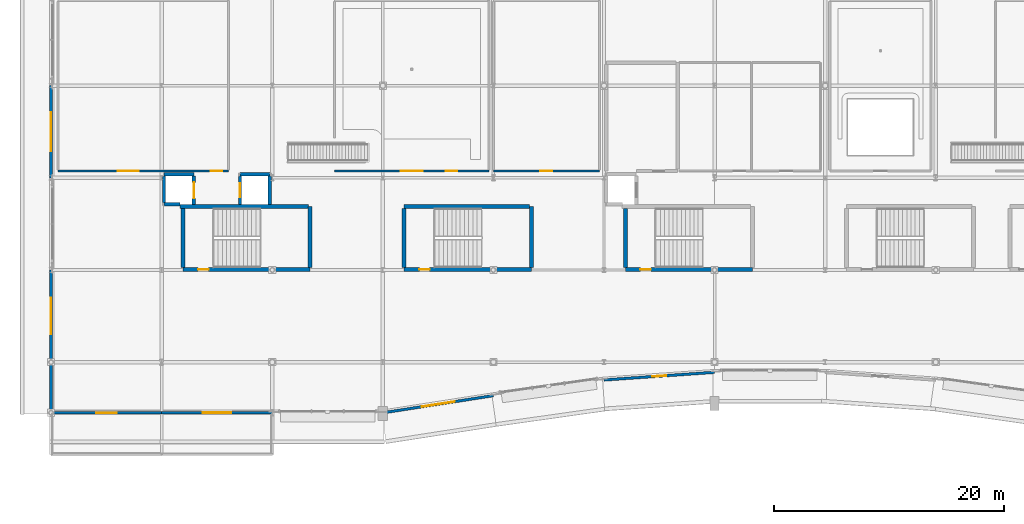
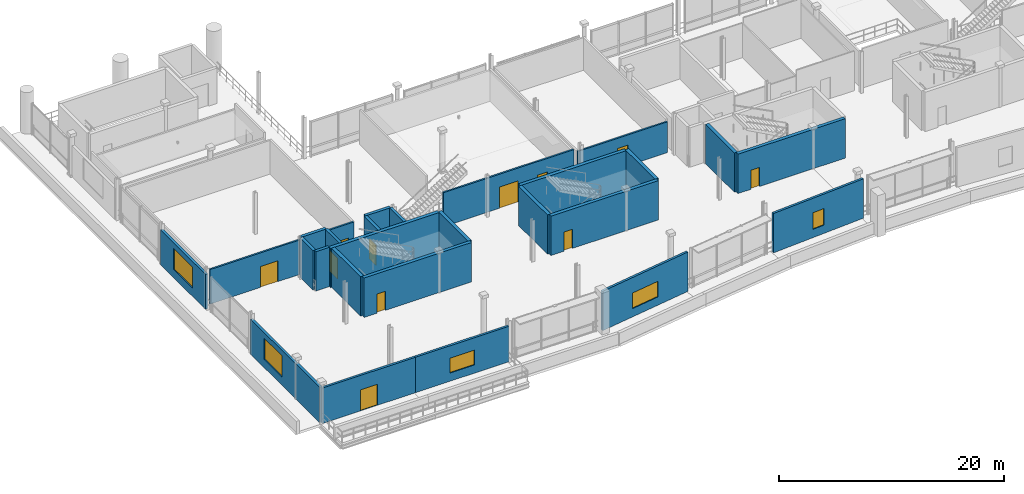
# One storey, part 36 of 59: 27 walls, 11 doors, 5 windows, 16 openings.
"""IFC4 building model written with IfcOpenShell, lengths in metres."""

from ifc_helpers import new_model, si_unit, direction, frame, frame_2d, origin, place, context, subcontext, project, spatial, rectangle, extrude, material, layer, layer_set, type_object, element, fill, save


model = new_model("IFC4")

# Units and contexts
model_context = context("Model", 3, precision=1e-05, world=origin(), true_north=direction((0.0, 1.0)))
body_context = subcontext(model_context, "Body", "Model", "MODEL_VIEW")
ifc_project = project(units=[si_unit("LENGTHUNIT", "METRE"), si_unit("AREAUNIT", "SQUARE_METRE"), si_unit("VOLUMEUNIT", "CUBIC_METRE"), si_unit("PLANEANGLEUNIT", "RADIAN"), si_unit("MASSUNIT", "GRAM", prefix="KILO")], contexts=[model_context])

# Site, building, storey
site_placement = place(None, origin())
site = spatial("IfcSite", under=ifc_project, at=site_placement, CompositionType="ELEMENT")
building_placement = place(site_placement, origin())
building = spatial("IfcBuilding", under=site, at=building_placement, Name="Danafjord Basin Convention Centre", CompositionType="ELEMENT")
storey_placement = place(building_placement, frame((0.0, 0.0, 15.89990234375)))
storey = spatial("IfcBuildingStorey", under=building, at=storey_placement, Name="L03", CompositionType="ELEMENT", Elevation=15.89990234375)

# Walls
ifc_material_1 = material(Name="Concrete C40/50", Category="concrete")
ifc_layer_1 = layer(ifc_material_1, 0.300048828125)
ifc_layer_set_1 = layer_set([ifc_layer_1], Name="Concrete C40/50")
wall_type_1 = type_object("IfcWallType", Name="WALL-CW-CORE300", PredefinedType="SHEAR", material=ifc_layer_set_1)
wall_1_placement = place(storey_placement, frame((12.39990234375, 24.300048828125, 0.0), z_axis=(0.0, 0.0, 1.0), x_axis=(-1.0, 0.0, 0.0)))
element("IfcWall", 1, at=wall_1_placement, inside=storey, type_object=wall_type_1, Name="Lift LF-FF01 shaft shear wall", PredefinedType="SHEAR", context=body_context, shape_type="SweptSolid", body=[
    extrude(rectangle(XDim=2.599853515625, YDim=0.300048828125, at=frame_2d((1.2998046875, 0.0))), origin(), (0.0, 0.0, 1.0), 4.276123046875),
])
wall_2_placement = place(storey_placement, frame((9.800048828125, 21.699951171875, 0.0), z_axis=(0.0, 0.0, 1.0), x_axis=(1.0, 0.0, 0.0)))
element("IfcWall", 2, at=wall_2_placement, inside=storey, type_object=wall_type_1, Name="Lift LF-FF01 shaft shear wall", PredefinedType="SHEAR", context=body_context, shape_type="SweptSolid", body=[
    extrude(rectangle(XDim=1.39990234375, YDim=0.300048828125, at=frame_2d((0.699951171875, 0.0))), origin(), (0.0, 0.0, 1.0), 4.276123046875),
])

# Wall, opening, door
wall_3_placement = place(storey_placement, frame((12.39990234375, 21.6650390625, 0.0), z_axis=(0.0, 0.0, 1.0), x_axis=(0.0, 1.0, 0.0)))
wall_3 = element("IfcWall", 3, at=wall_3_placement, inside=storey, type_object=wall_type_1, Name="Lift LF-FF01 shaft shear wall", PredefinedType="SHEAR", context=body_context, shape_type="SweptSolid", body=[
    extrude(rectangle(XDim=2.5, YDim=0.300048828125, at=frame_2d((1.25, 0.0))), origin(), (0.0, 0.0, 1.0), 4.276123046875),
])
opening_1_placement = place(wall_3_placement, frame((0.550048828125, 0.0, 0.0)))
opening_1 = element("IfcOpeningElement", 4, at=opening_1_placement, cuts=wall_3, Name="Opening LD-F01", PredefinedType="OPENING", context=body_context, shape_type="SweptSolid", body=[
    extrude(rectangle(XDim=1.39990234375, YDim=2.260009765625, at=frame_2d((0.699951171875, 1.1298828125))), frame((0.0, 0.159912109375, 0.0), z_axis=(0.0, -1.0, 0.0), x_axis=(1.0, 0.0, 0.0)), (0.0, 0.0, 1.0), 0.320068359375),
])
ifc_material_2 = material(Name="Brushed stainless steel and acoustic laminated glass", Category="steel")
door_type_1 = type_object("IfcDoorType", Name="DOOR-LD-F01", OperationType="DOUBLE_DOOR_SLIDING", PredefinedType="DOOR", material=ifc_material_2)
door_1_placement = place(opening_1_placement, origin())
door_1 = element("IfcDoor", 5, at=door_1_placement, inside=storey, type_object=door_type_1, Name="Lift LF-FF01 L03 Landing Door", OperationType="DOUBLE_DOOR_SLIDING", OverallHeight=2.260009765625, OverallWidth=1.39990234375, PredefinedType="DOOR", context=body_context, shape_type="SweptSolid", body=[
    extrude(rectangle(XDim=1.39990234375, YDim=2.260009765625, at=frame_2d((0.699951171875, 1.1298828125))), frame((0.0, 0.02490234375, 0.0), z_axis=(0.0, -1.0, 0.0), x_axis=(1.0, 0.0, 0.0)), (0.0, 0.0, 1.0), 0.050048828125),
])
fill(opening_1, door_1)

# Walls
wall_4_placement = place(storey_placement, frame((9.800048828125, 24.1650390625, 0.0), z_axis=(0.0, 0.0, 1.0), x_axis=(0.0, -1.0, 0.0)))
element("IfcWall", 6, at=wall_4_placement, inside=storey, type_object=wall_type_1, Name="Lift LF-FF01 shaft shear wall", PredefinedType="SHEAR", context=body_context, shape_type="SweptSolid", body=[
    extrude(rectangle(XDim=2.330078125, YDim=0.300048828125, at=frame_2d((1.1650390625, 0.0))), origin(), (0.0, 0.0, 1.0), 4.276123046875),
])
wall_5_placement = place(storey_placement, frame((19.0, 24.300048828125, 0.0), z_axis=(0.0, 0.0, 1.0), x_axis=(-1.0, 0.0, 0.0)))
element("IfcWall", 7, at=wall_5_placement, inside=storey, type_object=wall_type_1, Name="Lift LF-P01 shaft shear wall", PredefinedType="SHEAR", context=body_context, shape_type="SweptSolid", body=[
    extrude(rectangle(XDim=2.60009765625, YDim=0.300048828125, at=frame_2d((1.300048828125, 0.0))), origin(), (0.0, 0.0, 1.0), 4.276123046875),
])
wall_6_placement = place(storey_placement, frame((19.0, 21.6650390625, 0.0), z_axis=(0.0, 0.0, 1.0), x_axis=(0.0, 1.0, 0.0)))
element("IfcWall", 8, at=wall_6_placement, inside=storey, type_object=wall_type_1, Name="Lift LF-P01 shaft shear wall", PredefinedType="SHEAR", context=body_context, shape_type="SweptSolid", body=[
    extrude(rectangle(XDim=2.5, YDim=0.300048828125, at=frame_2d((1.25, 0.0))), origin(), (0.0, 0.0, 1.0), 4.276123046875),
])

# Wall, opening, door
wall_7_placement = place(storey_placement, frame((16.39990234375, 24.1650390625, 0.0), z_axis=(0.0, 0.0, 1.0), x_axis=(0.0, -1.0, 0.0)))
wall_7 = element("IfcWall", 9, at=wall_7_placement, inside=storey, type_object=wall_type_1, Name="Lift LF-P01 shaft shear wall", PredefinedType="SHEAR", context=body_context, shape_type="SweptSolid", body=[
    extrude(rectangle(XDim=2.5, YDim=0.300048828125, at=frame_2d((1.25, 0.0))), origin(), (0.0, 0.0, 1.0), 4.276123046875),
])
opening_2_placement = place(wall_7_placement, frame((0.64990234375, 0.0, 0.0)))
opening_2 = element("IfcOpeningElement", 10, at=opening_2_placement, cuts=wall_7, Name="Opening LD-P01", PredefinedType="OPENING", context=body_context, shape_type="SweptSolid", body=[
    extrude(rectangle(XDim=1.199951171875, YDim=2.199951171875, at=frame_2d((0.60009765625, 1.10009765625))), frame((0.0, 0.159912109375, 0.0), z_axis=(0.0, -1.0, 0.0), x_axis=(1.0, 0.0, 0.0)), (0.0, 0.0, 1.0), 0.320068359375),
])
door_type_2 = type_object("IfcDoorType", Name="DOOR-LD-P01", OperationType="DOUBLE_DOOR_SLIDING", PredefinedType="DOOR", material=ifc_material_2)
door_2_placement = place(opening_2_placement, origin())
door_2 = element("IfcDoor", 11, at=door_2_placement, inside=storey, type_object=door_type_2, Name="Lift LF-P01 L03 Landing Door", OperationType="DOUBLE_DOOR_SLIDING", OverallHeight=2.199951171875, OverallWidth=1.199951171875, PredefinedType="DOOR", context=body_context, shape_type="SweptSolid", body=[
    extrude(rectangle(XDim=1.199951171875, YDim=2.199951171875, at=frame_2d((0.60009765625, 1.10009765625))), frame((0.0, 0.02490234375, 0.0), z_axis=(0.0, -1.0, 0.0), x_axis=(1.0, 0.0, 0.0)), (0.0, 0.0, 1.0), 0.050048828125),
])
fill(opening_2, door_2)

ifc_material_3 = material(Name="Concrete C45/55", Category="concrete")
ifc_layer_2 = layer(ifc_material_3, 0.35009765625)
ifc_layer_set_2 = layer_set([ifc_layer_2], Name="Concrete C45/55")
wall_type_2 = type_object("IfcWallType", Name="WALL-CW-CORE350", PredefinedType="SHEAR", material=ifc_layer_set_2)
wall_8_placement = place(storey_placement, frame((11.449951171875, 16.050048828125, 0.0), z_axis=(0.0, 0.0, 1.0), x_axis=(1.0, 0.0, 0.0)))
wall_8 = element("IfcWall", 12, at=wall_8_placement, inside=storey, type_object=wall_type_2, Name="West Harbour Core Stair 1 core shear wall (south)", PredefinedType="SHEAR", context=body_context, shape_type="SweptSolid", body=[
    extrude(rectangle(XDim=11.0400390625, YDim=0.35009765625, at=frame_2d((5.52001953125, 0.0))), origin(), (0.0, 0.0, 1.0), 4.276123046875),
])
opening_3_placement = place(wall_8_placement, frame((1.31201171875, 0.0, 0.0)))
opening_3 = element("IfcOpeningElement", 13, at=opening_3_placement, cuts=wall_8, Name="Opening FD-S01", PredefinedType="OPENING", context=body_context, shape_type="SweptSolid", body=[
    extrude(rectangle(XDim=0.909912109375, YDim=2.080078125, at=frame_2d((0.455078125, 1.0400390625))), frame((0.0, 0.18505859375, 0.0), z_axis=(0.0, -1.0, 0.0), x_axis=(1.0, 0.0, 0.0)), (0.0, 0.0, 1.0), 0.3701171875),
])
ifc_material_4 = material(Name="Powder-coated steel and Nordic oak", Category="steel")
door_type_3 = type_object("IfcDoorType", Name="DOOR-FD-S01", OperationType="NOTDEFINED", PredefinedType="DOOR", material=ifc_material_4)
door_3_placement = place(opening_3_placement, origin())
door_3 = element("IfcDoor", 14, at=door_3_placement, inside=storey, type_object=door_type_3, Name="West Harbour Core Stair 1 L03 Fire Exit Door", OperationType="SINGLE_SWING_LEFT", OverallHeight=2.080078125, OverallWidth=0.909912109375, PredefinedType="DOOR", context=body_context, shape_type="SweptSolid", body=[
    extrude(rectangle(XDim=0.909912109375, YDim=2.080078125, at=frame_2d((0.455078125, 1.0400390625))), frame((0.0, 0.02490234375, 0.0), z_axis=(0.0, -1.0, 0.0), x_axis=(1.0, 0.0, 0.0)), (0.0, 0.0, 1.0), 0.050048828125),
])
fill(opening_3, door_3)

# Walls
wall_9_placement = place(storey_placement, frame((22.489990234375, 16.2099609375, 0.0), z_axis=(0.0, 0.0, 1.0), x_axis=(0.0, 1.0, 0.0)))
element("IfcWall", 15, at=wall_9_placement, inside=storey, type_object=wall_type_2, Name="West Harbour Core Stair 1 core shear wall (east)", PredefinedType="SHEAR", context=body_context, shape_type="SweptSolid", body=[
    extrude(rectangle(XDim=5.300048828125, YDim=0.35009765625, at=frame_2d((2.64990234375, 0.0))), origin(), (0.0, 0.0, 1.0), 4.276123046875),
])
wall_10_placement = place(storey_placement, frame((22.330078125, 21.510009765625, 0.0), z_axis=(0.0, 0.0, 1.0), x_axis=(-1.0, 0.0, 0.0)))
element("IfcWall", 16, at=wall_10_placement, inside=storey, type_object=wall_type_2, Name="West Harbour Core Stair 1 core shear wall (north)", PredefinedType="SHEAR", context=body_context, shape_type="SweptSolid", body=[
    extrude(rectangle(XDim=11.150146484375, YDim=0.35009765625, at=frame_2d((5.5751953125, 0.0))), origin(), (0.0, 0.0, 1.0), 4.276123046875),
])
wall_11_placement = place(storey_placement, frame((11.449951171875, 21.35009765625, 0.0), z_axis=(0.0, 0.0, 1.0), x_axis=(0.0, -1.0, 0.0)))
element("IfcWall", 17, at=wall_11_placement, inside=storey, type_object=wall_type_2, Name="West Harbour Core Stair 1 core shear wall (west)", PredefinedType="SHEAR", context=body_context, shape_type="SweptSolid", body=[
    extrude(rectangle(XDim=5.14013671875, YDim=0.35009765625, at=frame_2d((2.570068359375, 0.0))), origin(), (0.0, 0.0, 1.0), 4.276123046875),
])

# Wall, opening, door
wall_12_placement = place(storey_placement, frame((49.85009765625, 16.050048828125, 0.0), z_axis=(0.0, 0.0, 1.0), x_axis=(1.0, 0.0, 0.0)))
wall_12 = element("IfcWall", 18, at=wall_12_placement, inside=storey, type_object=wall_type_2, Name="Mid-Arc Meeting Core Stair 1 core shear wall (south)", PredefinedType="SHEAR", context=body_context, shape_type="SweptSolid", body=[
    extrude(rectangle(XDim=11.039794921875, YDim=0.35009765625, at=frame_2d((5.52001953125, 0.0))), origin(), (0.0, 0.0, 1.0), 4.276123046875),
])
opening_4_placement = place(wall_12_placement, frame((1.31201171875, 0.0, 0.0)))
opening_4 = element("IfcOpeningElement", 19, at=opening_4_placement, cuts=wall_12, Name="Opening FD-S01", PredefinedType="OPENING", context=body_context, shape_type="SweptSolid", body=[
    extrude(rectangle(XDim=0.909912109375, YDim=2.080078125, at=frame_2d((0.455078125, 1.0400390625))), frame((0.0, 0.18505859375, 0.0), z_axis=(0.0, -1.0, 0.0), x_axis=(1.0, 0.0, 0.0)), (0.0, 0.0, 1.0), 0.3701171875),
])
door_4_placement = place(opening_4_placement, origin())
door_4 = element("IfcDoor", 20, at=door_4_placement, inside=storey, type_object=door_type_3, Name="Mid-Arc Meeting Core Stair 1 L03 Fire Exit Door", OperationType="SINGLE_SWING_LEFT", OverallHeight=2.080078125, OverallWidth=0.909912109375, PredefinedType="DOOR", context=body_context, shape_type="SweptSolid", body=[
    extrude(rectangle(XDim=0.909912109375, YDim=2.080078125, at=frame_2d((0.455078125, 1.0400390625))), frame((0.0, 0.02490234375, 0.0), z_axis=(0.0, -1.0, 0.0), x_axis=(1.0, 0.0, 0.0)), (0.0, 0.0, 1.0), 0.050048828125),
])
fill(opening_4, door_4)

# Wall
wall_13_placement = place(storey_placement, frame((49.85009765625, 21.35009765625, 0.0), z_axis=(0.0, 0.0, 1.0), x_axis=(0.0, -1.0, 0.0)))
element("IfcWall", 21, at=wall_13_placement, inside=storey, type_object=wall_type_2, Name="Mid-Arc Meeting Core Stair 1 core shear wall (west)", PredefinedType="SHEAR", context=body_context, shape_type="SweptSolid", body=[
    extrude(rectangle(XDim=5.14013671875, YDim=0.35009765625, at=frame_2d((2.570068359375, 0.0))), origin(), (0.0, 0.0, 1.0), 4.276123046875),
])

# Wall, opening, door
wall_14_placement = place(storey_placement, frame((30.64990234375, 16.050048828125, 0.0), z_axis=(0.0, 0.0, 1.0), x_axis=(1.0, 0.0, 0.0)))
wall_14 = element("IfcWall", 22, at=wall_14_placement, inside=storey, type_object=wall_type_2, Name="West Harbour Escape Stair 2 core shear wall (south)", PredefinedType="SHEAR", context=body_context, shape_type="SweptSolid", body=[
    extrude(rectangle(XDim=11.0400390625, YDim=0.35009765625, at=frame_2d((5.52001953125, 0.0))), origin(), (0.0, 0.0, 1.0), 4.276123046875),
])
opening_5_placement = place(wall_14_placement, frame((1.31201171875, 0.0, 0.0)))
opening_5 = element("IfcOpeningElement", 23, at=opening_5_placement, cuts=wall_14, Name="Opening FD-S01", PredefinedType="OPENING", context=body_context, shape_type="SweptSolid", body=[
    extrude(rectangle(XDim=0.909912109375, YDim=2.080078125, at=frame_2d((0.455078125, 1.0400390625))), frame((0.0, 0.18505859375, 0.0), z_axis=(0.0, -1.0, 0.0), x_axis=(1.0, 0.0, 0.0)), (0.0, 0.0, 1.0), 0.3701171875),
])
door_5_placement = place(opening_5_placement, origin())
door_5 = element("IfcDoor", 24, at=door_5_placement, inside=storey, type_object=door_type_3, Name="West Harbour Escape Stair 2 L03 Fire Exit Door", OperationType="SINGLE_SWING_RIGHT", OverallHeight=2.080078125, OverallWidth=0.909912109375, PredefinedType="DOOR", context=body_context, shape_type="SweptSolid", body=[
    extrude(rectangle(XDim=0.909912109375, YDim=2.080078125, at=frame_2d((0.455078125, 1.0400390625))), frame((0.0, 0.02490234375, 0.0), z_axis=(0.0, -1.0, 0.0), x_axis=(1.0, 0.0, 0.0)), (0.0, 0.0, 1.0), 0.050048828125),
])
fill(opening_5, door_5)

# Walls
wall_15_placement = place(storey_placement, frame((41.68994140625, 16.2099609375, 0.0), z_axis=(0.0, 0.0, 1.0), x_axis=(0.0, 1.0, 0.0)))
element("IfcWall", 25, at=wall_15_placement, inside=storey, type_object=wall_type_2, Name="West Harbour Escape Stair 2 core shear wall (east)", PredefinedType="SHEAR", context=body_context, shape_type="SweptSolid", body=[
    extrude(rectangle(XDim=5.300048828125, YDim=0.35009765625, at=frame_2d((2.64990234375, 0.0))), origin(), (0.0, 0.0, 1.0), 4.276123046875),
])
wall_16_placement = place(storey_placement, frame((41.530029296875, 21.510009765625, 0.0), z_axis=(0.0, 0.0, 1.0), x_axis=(-1.0, 0.0, 0.0)))
element("IfcWall", 26, at=wall_16_placement, inside=storey, type_object=wall_type_2, Name="West Harbour Escape Stair 2 core shear wall (north)", PredefinedType="SHEAR", context=body_context, shape_type="SweptSolid", body=[
    extrude(rectangle(XDim=10.880126953125, YDim=0.35009765625, at=frame_2d((5.43994140625, 0.0))), origin(), (0.0, 0.0, 1.0), 4.276123046875),
])
wall_17_placement = place(storey_placement, frame((30.64990234375, 21.35009765625, 0.0), z_axis=(0.0, 0.0, 1.0), x_axis=(0.0, -1.0, 0.0)))
element("IfcWall", 27, at=wall_17_placement, inside=storey, type_object=wall_type_2, Name="West Harbour Escape Stair 2 core shear wall (west)", PredefinedType="SHEAR", context=body_context, shape_type="SweptSolid", body=[
    extrude(rectangle(XDim=5.14013671875, YDim=0.35009765625, at=frame_2d((2.570068359375, 0.0))), origin(), (0.0, 0.0, 1.0), 4.276123046875),
])

# Wall, opening, door
ifc_material_5 = material(Name="Concrete C35/45", Category="concrete")
ifc_layer_3 = layer(ifc_material_5, 0.22998046875)
ifc_layer_set_3 = layer_set([ifc_layer_3], Name="Concrete C35/45")
wall_type_3 = type_object("IfcWallType", Name="WALL-EW-STD230", PredefinedType="STANDARD", material=ifc_layer_set_3)
wall_18_placement = place(storey_placement, frame((0.0, 3.60009765625, 0.0), z_axis=(0.0, 0.0, 1.0), x_axis=(1.0, 0.0, 0.0)))
wall_18 = element("IfcWall", 28, at=wall_18_placement, inside=storey, type_object=wall_type_3, Name="L03 harbourfront precast facade bay 1", PredefinedType="STANDARD", context=body_context, shape_type="SweptSolid", body=[
    extrude(rectangle(XDim=9.60009765625, YDim=0.22998046875, at=frame_2d((4.800048828125, 0.0))), origin(), (0.0, 0.0, 1.0), 3.85009765625),
])
opening_6_placement = place(wall_18_placement, frame((3.919921875, 0.0, 0.0)))
opening_6 = element("IfcOpeningElement", 29, at=opening_6_placement, cuts=wall_18, Name="Opening ED-04", PredefinedType="OPENING", context=body_context, shape_type="SweptSolid", body=[
    extrude(rectangle(XDim=1.760009765625, YDim=2.280029296875, at=frame_2d((0.8798828125, 1.14013671875))), frame((0.0, 0.125, 0.0), z_axis=(0.0, -1.0, 0.0), x_axis=(1.0, 0.0, 0.0)), (0.0, 0.0, 1.0), 0.25),
])
ifc_material_6 = material(Name="Thermally broken anodised aluminium and steel", Category="steel")
door_type_4 = type_object("IfcDoorType", Name="DOOR-ED-04", OperationType="DOUBLE_DOOR_SINGLE_SWING", PredefinedType="DOOR", material=ifc_material_6)
door_6_placement = place(opening_6_placement, origin())
door_6 = element("IfcDoor", 30, at=door_6_placement, inside=storey, type_object=door_type_4, Name="L03 Harbour Terrace Access Door", OperationType="DOUBLE_DOOR_SINGLE_SWING", OverallHeight=2.280029296875, OverallWidth=1.760009765625, PredefinedType="DOOR", context=body_context, shape_type="SweptSolid", body=[
    extrude(rectangle(XDim=1.760009765625, YDim=2.280029296875, at=frame_2d((0.8798828125, 1.14013671875))), frame((0.0, 0.02490234375, 0.0), z_axis=(0.0, -1.0, 0.0), x_axis=(1.0, 0.0, 0.0)), (0.0, 0.0, 1.0), 0.050048828125),
])
fill(opening_6, door_6)

# Wall, opening, window
wall_19_placement = place(storey_placement, frame((9.60009765625, 3.60009765625, 0.0), z_axis=(0.0, 0.0, 1.0), x_axis=(1.0, 0.0, 0.0)))
wall_19 = element("IfcWall", 31, at=wall_19_placement, inside=storey, type_object=wall_type_3, Name="L03 harbourfront precast facade bay 2", PredefinedType="STANDARD", context=body_context, shape_type="SweptSolid", body=[
    extrude(rectangle(XDim=9.599853515625, YDim=0.22998046875, at=frame_2d((4.7998046875, 0.0))), origin(), (0.0, 0.0, 1.0), 3.85009765625),
])
opening_7_placement = place(wall_19_placement, frame((3.550048828125, 0.0, 0.89990234375)))
opening_7 = element("IfcOpeningElement", 32, at=opening_7_placement, cuts=wall_19, Name="Opening WN-17", PredefinedType="OPENING", context=body_context, shape_type="SweptSolid", body=[
    extrude(rectangle(XDim=2.5, YDim=1.60009765625, at=frame_2d((1.25, 0.800048828125))), frame((0.0, 0.125, 0.0), z_axis=(0.0, -1.0, 0.0), x_axis=(1.0, 0.0, 0.0)), (0.0, 0.0, 1.0), 0.25),
])
ifc_material_7 = material(Name="Thermally broken aluminium and triple low-E glass", Category="aluminium")
window_type_1 = type_object("IfcWindowType", Name="WIN-WN-17", PartitioningType="SINGLE_PANEL", PredefinedType="WINDOW", material=ifc_material_7)
window_1_placement = place(opening_7_placement, origin())
window_1 = element("IfcWindow", 33, at=window_1_placement, inside=storey, type_object=window_type_1, Name="L03 harbour window WN-17", OverallHeight=1.60009765625, OverallWidth=2.5, PartitioningType="SINGLE_PANEL", PredefinedType="WINDOW", context=body_context, shape_type="SweptSolid", body=[
    extrude(rectangle(XDim=2.5, YDim=1.60009765625, at=frame_2d((1.25, 0.800048828125))), frame((0.0, 0.030029296875, 0.0), z_axis=(0.0, -1.0, 0.0), x_axis=(1.0, 0.0, 0.0)), (0.0, 0.0, 1.0), 0.06005859375),
])
fill(opening_7, window_1)

wall_20_placement = place(storey_placement, frame((28.800048828125, 3.60009765625, 0.0), z_axis=(0.0, 0.0, 1.0), x_axis=(0.988122574896, 0.153667748671, 0.0)))
wall_20 = element("IfcWall", 34, at=wall_20_placement, inside=storey, type_object=wall_type_3, Name="L03 harbourfront precast facade bay 4", PredefinedType="STANDARD", context=body_context, shape_type="SweptSolid", body=[
    extrude(rectangle(XDim=9.71533203125, YDim=0.22998046875, at=frame_2d((4.857666015625, 0.0))), origin(), (0.0, 0.0, 1.0), 4.274169921875),
])
opening_8_placement = place(wall_20_placement, frame((3.407958984375, 0.0, 0.89990234375)))
opening_8 = element("IfcOpeningElement", 35, at=opening_8_placement, cuts=wall_20, Name="Opening WN-18", PredefinedType="OPENING", context=body_context, shape_type="SweptSolid", body=[
    extrude(rectangle(XDim=2.89990234375, YDim=1.699951171875, at=frame_2d((1.449951171875, 0.85009765625))), frame((0.0, 0.125, 0.0), z_axis=(0.0, -1.0, 0.0), x_axis=(1.0, 0.0, 0.0)), (0.0, 0.0, 1.0), 0.25),
])
window_type_2 = type_object("IfcWindowType", Name="WIN-WN-18", PartitioningType="SINGLE_PANEL", PredefinedType="WINDOW", material=ifc_material_7)
window_2_placement = place(opening_8_placement, origin())
window_2 = element("IfcWindow", 36, at=window_2_placement, inside=storey, type_object=window_type_2, Name="L03 harbour window WN-18", OverallHeight=1.699951171875, OverallWidth=2.89990234375, PartitioningType="SINGLE_PANEL", PredefinedType="WINDOW", context=body_context, shape_type="SweptSolid", body=[
    extrude(rectangle(XDim=2.89990234375, YDim=1.699951171875, at=frame_2d((1.449951171875, 0.85009765625))), frame((0.0, 0.030029296875, 0.0), z_axis=(0.0, -1.0, 0.0), x_axis=(1.0, 0.0, 0.0)), (0.0, 0.0, 1.0), 0.06005859375),
])
fill(opening_8, window_2)

wall_21_placement = place(storey_placement, frame((48.0, 6.451904296875, 0.0), z_axis=(0.0, 0.0, 1.0), x_axis=(0.99760914447, 0.069108573052, 0.0)))
wall_21 = element("IfcWall", 37, at=wall_21_placement, inside=storey, type_object=wall_type_3, Name="L03 harbourfront precast facade bay 6", PredefinedType="STANDARD", context=body_context, shape_type="SweptSolid", body=[
    extrude(rectangle(XDim=9.623046875, YDim=0.22998046875, at=frame_2d((4.8115234375, 0.0))), origin(), (0.0, 0.0, 1.0), 4.274169921875),
])
opening_9_placement = place(wall_21_placement, frame((4.2119140625, 0.0, 0.89990234375)))
opening_9 = element("IfcOpeningElement", 38, at=opening_9_placement, cuts=wall_21, Name="Opening WN-01", PredefinedType="OPENING", context=body_context, shape_type="SweptSolid", body=[
    extrude(rectangle(XDim=1.199951171875, YDim=1.800048828125, at=frame_2d((0.60009765625, 0.89990234375))), frame((0.0, 0.125, 0.0), z_axis=(0.0, -1.0, 0.0), x_axis=(1.0, 0.0, 0.0)), (0.0, 0.0, 1.0), 0.25),
])
window_type_3 = type_object("IfcWindowType", Name="WIN-WN-01", PartitioningType="SINGLE_PANEL", PredefinedType="WINDOW", material=ifc_material_7)
window_3_placement = place(opening_9_placement, origin())
window_3 = element("IfcWindow", 39, at=window_3_placement, inside=storey, type_object=window_type_3, Name="L03 harbour window WN-01", OverallHeight=1.800048828125, OverallWidth=1.199951171875, PartitioningType="SINGLE_PANEL", PredefinedType="WINDOW", context=body_context, shape_type="SweptSolid", body=[
    extrude(rectangle(XDim=1.199951171875, YDim=1.800048828125, at=frame_2d((0.60009765625, 0.89990234375))), frame((0.0, 0.030029296875, 0.0), z_axis=(0.0, -1.0, 0.0), x_axis=(1.0, 0.0, 0.0)), (0.0, 0.0, 1.0), 0.06005859375),
])
fill(opening_9, window_3)

# Wall
ifc_layer_4 = layer(ifc_material_5, 0.260009765625)
ifc_layer_set_4 = layer_set([ifc_layer_4], Name="Concrete C35/45")
wall_type_4 = type_object("IfcWallType", Name="WALL-EW-STD260", PredefinedType="STANDARD", material=ifc_layer_set_4)
wall_22_placement = place(storey_placement, frame((0.0, 3.718994140625, 0.0), z_axis=(0.0, 0.0, 1.0), x_axis=(0.0, 1.0, 0.0)))
element("IfcWall", 40, at=wall_22_placement, inside=storey, type_object=wall_type_4, Name="L03 W wing facade wall", PredefinedType="STANDARD", context=body_context, shape_type="SweptSolid", body=[
    extrude(rectangle(XDim=4.281005859375, YDim=0.260009765625, at=frame_2d((2.140625, 0.0))), origin(), (0.0, 0.0, 1.0), 3.85009765625),
])

# Wall, opening, window
wall_23_placement = place(storey_placement, frame((0.0, 8.0, 0.0), z_axis=(0.0, 0.0, 1.0), x_axis=(0.0, 1.0, 0.0)))
wall_23 = element("IfcWall", 41, at=wall_23_placement, inside=storey, type_object=wall_type_4, Name="L03 W wing facade wall", PredefinedType="STANDARD", context=body_context, shape_type="SweptSolid", body=[
    extrude(rectangle(XDim=8.0, YDim=0.260009765625, at=frame_2d((4.0, 0.0))), origin(), (0.0, 0.0, 1.0), 3.796142578125),
])
opening_10_placement = place(wall_23_placement, frame((2.39990234375, 0.0, 0.89990234375)))
opening_10 = element("IfcOpeningElement", 42, at=opening_10_placement, cuts=wall_23, Name="Opening WN-11", PredefinedType="OPENING", context=body_context, shape_type="SweptSolid", body=[
    extrude(rectangle(XDim=3.199951171875, YDim=2.300048828125, at=frame_2d((1.60009765625, 1.14990234375))), frame((0.0, 0.139892578125, 0.0), z_axis=(0.0, -1.0, 0.0), x_axis=(1.0, 0.0, 0.0)), (0.0, 0.0, 1.0), 0.280029296875),
])
window_type_4 = type_object("IfcWindowType", Name="WIN-WN-11", PartitioningType="SINGLE_PANEL", PredefinedType="WINDOW", material=ifc_material_7)
window_4_placement = place(opening_10_placement, origin())
window_4 = element("IfcWindow", 43, at=window_4_placement, inside=storey, type_object=window_type_4, Name="L03 W window WN-11", OverallHeight=2.300048828125, OverallWidth=3.199951171875, PartitioningType="SINGLE_PANEL", PredefinedType="WINDOW", context=body_context, shape_type="SweptSolid", body=[
    extrude(rectangle(XDim=3.199951171875, YDim=2.300048828125, at=frame_2d((1.60009765625, 1.14990234375))), frame((0.0, 0.030029296875, 0.0), z_axis=(0.0, -1.0, 0.0), x_axis=(1.0, 0.0, 0.0)), (0.0, 0.0, 1.0), 0.06005859375),
])
fill(opening_10, window_4)

wall_24_placement = place(storey_placement, frame((0.0, 24.0, 0.0), z_axis=(0.0, 0.0, 1.0), x_axis=(0.0, 1.0, 0.0)))
wall_24 = element("IfcWall", 44, at=wall_24_placement, inside=storey, type_object=wall_type_4, Name="L03 W wing facade wall", PredefinedType="STANDARD", context=body_context, shape_type="SweptSolid", body=[
    extrude(rectangle(XDim=8.0, YDim=0.260009765625, at=frame_2d((4.0, 0.0))), origin(), (0.0, 0.0, 1.0), 3.796142578125),
])
opening_11_placement = place(wall_24_placement, frame((2.300048828125, 0.0, 0.89990234375)))
opening_11 = element("IfcOpeningElement", 45, at=opening_11_placement, cuts=wall_24, Name="Opening WN-12", PredefinedType="OPENING", context=body_context, shape_type="SweptSolid", body=[
    extrude(rectangle(XDim=3.39990234375, YDim=2.300048828125, at=frame_2d((1.699951171875, 1.14990234375))), frame((0.0, 0.139892578125, 0.0), z_axis=(0.0, -1.0, 0.0), x_axis=(1.0, 0.0, 0.0)), (0.0, 0.0, 1.0), 0.280029296875),
])
window_type_5 = type_object("IfcWindowType", Name="WIN-WN-12", PartitioningType="SINGLE_PANEL", PredefinedType="WINDOW", material=ifc_material_7)
window_5_placement = place(opening_11_placement, origin())
window_5 = element("IfcWindow", 46, at=window_5_placement, inside=storey, type_object=window_type_5, Name="L03 W window WN-12", OverallHeight=2.300048828125, OverallWidth=3.39990234375, PartitioningType="SINGLE_PANEL", PredefinedType="WINDOW", context=body_context, shape_type="SweptSolid", body=[
    extrude(rectangle(XDim=3.39990234375, YDim=2.300048828125, at=frame_2d((1.699951171875, 1.14990234375))), frame((0.0, 0.030029296875, 0.0), z_axis=(0.0, -1.0, 0.0), x_axis=(1.0, 0.0, 0.0)), (0.0, 0.0, 1.0), 0.06005859375),
])
fill(opening_11, window_5)

# Wall, openings, doors
ifc_material_8 = material(Name="Acoustic double-board gypsum stud partition")
ifc_layer_5 = layer(ifc_material_8, 0.175048828125)
ifc_layer_set_5 = layer_set([ifc_layer_5], Name="Acoustic double-board gypsum stud partition")
wall_type_5 = type_object("IfcWallType", Name="WALL-PT-AC175", PredefinedType="PARTITIONING", material=ifc_layer_set_5)
wall_25_placement = place(storey_placement, frame((0.60009765625, 24.60009765625, 0.0), z_axis=(0.0, 0.0, 1.0), x_axis=(1.0, 0.0, 0.0)))
wall_25 = element("IfcWall", 47, at=wall_25_placement, inside=storey, type_object=wall_type_5, Name="Nordic Boardroom Suite M301 south partition", PredefinedType="PARTITIONING", context=body_context, shape_type="SweptSolid", body=[
    extrude(rectangle(XDim=14.7998046875, YDim=0.175048828125, at=frame_2d((7.39990234375, 0.0))), origin(), (0.0, 0.0, 1.0), 3.74609375),
])
opening_12_placement = place(wall_25_placement, frame((5.19189453125, 0.0, 0.0)))
opening_12 = element("IfcOpeningElement", 48, at=opening_12_placement, cuts=wall_25, Name="Opening FD-D04", PredefinedType="OPENING", context=body_context, shape_type="SweptSolid", body=[
    extrude(rectangle(XDim=1.820068359375, YDim=2.260009765625, at=frame_2d((0.91015625, 1.1298828125))), frame((0.0, 0.097412109375, 0.0), z_axis=(0.0, -1.0, 0.0), x_axis=(1.0, 0.0, 0.0)), (0.0, 0.0, 1.0), 0.195068359375),
])
opening_13_placement = place(wall_25_placement, frame((13.27001953125, 0.0, 0.0)))
opening_13 = element("IfcOpeningElement", 49, at=opening_13_placement, cuts=wall_25, Name="Opening FD-S11", PredefinedType="OPENING", context=body_context, shape_type="SweptSolid", body=[
    extrude(rectangle(XDim=0.97998046875, YDim=2.199951171875, at=frame_2d((0.489990234375, 1.10009765625))), frame((0.0, 0.097412109375, 0.0), z_axis=(0.0, -1.0, 0.0), x_axis=(1.0, 0.0, 0.0)), (0.0, 0.0, 1.0), 0.195068359375),
])
door_type_5 = type_object("IfcDoorType", Name="DOOR-FD-D04", OperationType="DOUBLE_DOOR_SINGLE_SWING", PredefinedType="DOOR", material=ifc_material_2)
door_7_placement = place(opening_12_placement, origin())
door_7 = element("IfcDoor", 50, at=door_7_placement, inside=storey, type_object=door_type_5, Name="Nordic Boardroom Suite M301 Entrance Door", OperationType="DOUBLE_DOOR_SINGLE_SWING", OverallHeight=2.260009765625, OverallWidth=1.820068359375, PredefinedType="DOOR", context=body_context, shape_type="SweptSolid", body=[
    extrude(rectangle(XDim=1.820068359375, YDim=2.260009765625, at=frame_2d((0.91015625, 1.1298828125))), frame((0.0, 0.02490234375, 0.0), z_axis=(0.0, -1.0, 0.0), x_axis=(1.0, 0.0, 0.0)), (0.0, 0.0, 1.0), 0.050048828125),
])
fill(opening_12, door_7)
door_type_6 = type_object("IfcDoorType", Name="DOOR-FD-S11", OperationType="NOTDEFINED", PredefinedType="DOOR", material=ifc_material_4)
door_8_placement = place(opening_13_placement, origin())
door_8 = element("IfcDoor", 51, at=door_8_placement, inside=storey, type_object=door_type_6, Name="Nordic Boardroom Suite M301 Secondary Exit Door", OperationType="SINGLE_SWING_RIGHT", OverallHeight=2.199951171875, OverallWidth=0.97998046875, PredefinedType="DOOR", context=body_context, shape_type="SweptSolid", body=[
    extrude(rectangle(XDim=0.97998046875, YDim=2.199951171875, at=frame_2d((0.489990234375, 1.10009765625))), frame((0.0, 0.02490234375, 0.0), z_axis=(0.0, -1.0, 0.0), x_axis=(1.0, 0.0, 0.0)), (0.0, 0.0, 1.0), 0.050048828125),
])
fill(opening_13, door_8)

wall_26_placement = place(storey_placement, frame((24.60009765625, 24.60009765625, 0.0), z_axis=(0.0, 0.0, 1.0), x_axis=(1.0, 0.0, 0.0)))
wall_26 = element("IfcWall", 52, at=wall_26_placement, inside=storey, type_object=wall_type_5, Name="Skagerrak Boardroom Suite M302 south partition", PredefinedType="PARTITIONING", context=body_context, shape_type="SweptSolid", body=[
    extrude(rectangle(XDim=13.39990234375, YDim=0.175048828125, at=frame_2d((6.699951171875, 0.0))), origin(), (0.0, 0.0, 1.0), 3.696044921875),
])
opening_14_placement = place(wall_26_placement, frame((5.739990234375, 0.0, 0.0)))
opening_14 = element("IfcOpeningElement", 53, at=opening_14_placement, cuts=wall_26, Name="Opening FD-D05", PredefinedType="OPENING", context=body_context, shape_type="SweptSolid", body=[
    extrude(rectangle(XDim=1.919921875, YDim=2.300048828125, at=frame_2d((0.9599609375, 1.14990234375))), frame((0.0, 0.097412109375, 0.0), z_axis=(0.0, -1.0, 0.0), x_axis=(1.0, 0.0, 0.0)), (0.0, 0.0, 1.0), 0.195068359375),
])
opening_15_placement = place(wall_26_placement, frame((9.6640625, 0.0, 0.0)))
opening_15 = element("IfcOpeningElement", 54, at=opening_15_placement, cuts=wall_26, Name="Opening FD-S12", PredefinedType="OPENING", context=body_context, shape_type="SweptSolid", body=[
    extrude(rectangle(XDim=1.010009765625, YDim=2.219970703125, at=frame_2d((0.5048828125, 1.10986328125))), frame((0.0, 0.097412109375, 0.0), z_axis=(0.0, -1.0, 0.0), x_axis=(1.0, 0.0, 0.0)), (0.0, 0.0, 1.0), 0.195068359375),
])
door_type_7 = type_object("IfcDoorType", Name="DOOR-FD-D05", OperationType="DOUBLE_DOOR_SINGLE_SWING", PredefinedType="DOOR", material=ifc_material_2)
door_9_placement = place(opening_14_placement, origin())
door_9 = element("IfcDoor", 55, at=door_9_placement, inside=storey, type_object=door_type_7, Name="Skagerrak Boardroom Suite M302 Entrance Door", OperationType="DOUBLE_DOOR_SINGLE_SWING", OverallHeight=2.300048828125, OverallWidth=1.919921875, PredefinedType="DOOR", context=body_context, shape_type="SweptSolid", body=[
    extrude(rectangle(XDim=1.919921875, YDim=2.300048828125, at=frame_2d((0.9599609375, 1.14990234375))), frame((0.0, 0.02490234375, 0.0), z_axis=(0.0, -1.0, 0.0), x_axis=(1.0, 0.0, 0.0)), (0.0, 0.0, 1.0), 0.050048828125),
])
fill(opening_14, door_9)
door_type_8 = type_object("IfcDoorType", Name="DOOR-FD-S12", OperationType="NOTDEFINED", PredefinedType="DOOR", material=ifc_material_4)
door_10_placement = place(opening_15_placement, origin())
door_10 = element("IfcDoor", 56, at=door_10_placement, inside=storey, type_object=door_type_8, Name="Skagerrak Boardroom Suite M302 Secondary Exit Door", OperationType="SINGLE_SWING_LEFT", OverallHeight=2.219970703125, OverallWidth=1.010009765625, PredefinedType="DOOR", context=body_context, shape_type="SweptSolid", body=[
    extrude(rectangle(XDim=1.010009765625, YDim=2.219970703125, at=frame_2d((0.5048828125, 1.10986328125))), frame((0.0, 0.02490234375, 0.0), z_axis=(0.0, -1.0, 0.0), x_axis=(1.0, 0.0, 0.0)), (0.0, 0.0, 1.0), 0.050048828125),
])
fill(opening_15, door_10)

# Wall, opening, door
wall_27_placement = place(storey_placement, frame((38.39990234375, 24.60009765625, 0.0), z_axis=(0.0, 0.0, 1.0), x_axis=(1.0, 0.0, 0.0)))
wall_27 = element("IfcWall", 57, at=wall_27_placement, inside=storey, type_object=wall_type_5, Name="Kattegat Boardroom Suite M303 south partition", PredefinedType="PARTITIONING", context=body_context, shape_type="SweptSolid", body=[
    extrude(rectangle(XDim=9.2001953125, YDim=0.175048828125, at=frame_2d((4.60009765625, 0.0))), origin(), (0.0, 0.0, 1.0), 3.34619140625),
])
opening_16_placement = place(wall_27_placement, frame((4.080078125, 0.0, 0.0)))
opening_16 = element("IfcOpeningElement", 58, at=opening_16_placement, cuts=wall_27, Name="Opening FD-S13", PredefinedType="OPENING", context=body_context, shape_type="SweptSolid", body=[
    extrude(rectangle(XDim=1.0400390625, YDim=2.239990234375, at=frame_2d((0.52001953125, 1.1201171875))), frame((0.0, 0.097412109375, 0.0), z_axis=(0.0, -1.0, 0.0), x_axis=(1.0, 0.0, 0.0)), (0.0, 0.0, 1.0), 0.195068359375),
])
door_type_9 = type_object("IfcDoorType", Name="DOOR-FD-S13", OperationType="NOTDEFINED", PredefinedType="DOOR", material=ifc_material_4)
door_11_placement = place(opening_16_placement, origin())
door_11 = element("IfcDoor", 59, at=door_11_placement, inside=storey, type_object=door_type_9, Name="Kattegat Boardroom Suite M303 Entrance Door", OperationType="SINGLE_SWING_RIGHT", OverallHeight=2.239990234375, OverallWidth=1.0400390625, PredefinedType="DOOR", context=body_context, shape_type="SweptSolid", body=[
    extrude(rectangle(XDim=1.0400390625, YDim=2.239990234375, at=frame_2d((0.52001953125, 1.1201171875))), frame((0.0, 0.02490234375, 0.0), z_axis=(0.0, -1.0, 0.0), x_axis=(1.0, 0.0, 0.0)), (0.0, 0.0, 1.0), 0.050048828125),
])
fill(opening_16, door_11)

save(model, "model.ifc")
